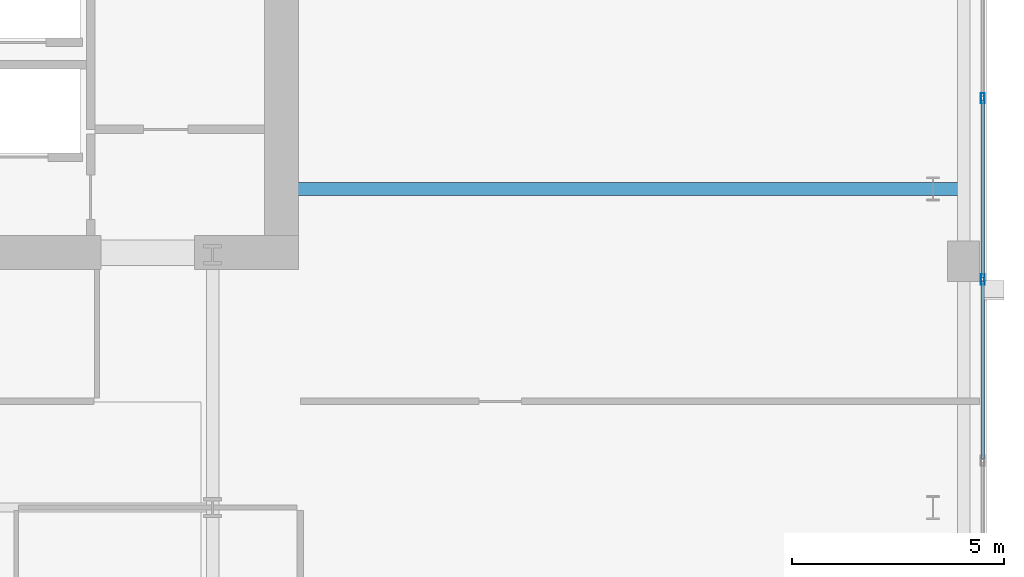
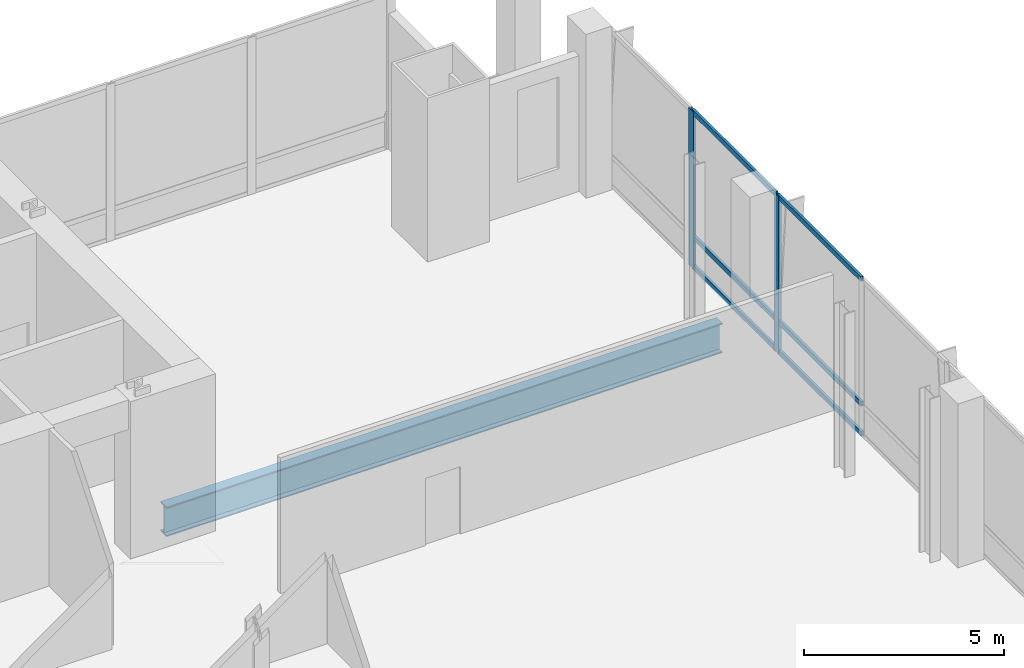
# One storey, part 16 of 25: 8 members, 1 beam, 1 element without a shape of its own.
"""IFC4 building model written with IfcOpenShell, lengths in metres."""

import ifcopenshell
import ifcopenshell.guid

model = None  # the IFC model being written
_history = None  # IfcOwnerHistory: only IFC2X3 demands one
_inside = {}  # id of a spatial element -> (the spatial element, [elements in it])
_under = {}  # id of a project, library or spatial element -> (it, [spatial elements below it])
_declared = {}  # id of a project -> (the project, [libraries it declares])
_typed = {}  # id of a type object -> (the type object, [elements of that type])
_made_of = {}  # id of a material, layer set ... -> (it, [elements and type objects made of it])


def new_model(schema):
    """Start an empty IFC model of exactly this schema.

    Asked for "IFC4X3", IfcOpenShell would pick the latest addendum, in which some entities
    have other attributes; the version numbers below select the first issue.
    IFC2X3 requires an IfcOwnerHistory on every rooted entity: one is made here for all.
    """
    global model, _history
    if schema == "IFC4X3":
        model = ifcopenshell.file(schema_version=(4, 3, 0, 0))
    else:
        model = ifcopenshell.file(schema=schema)
    _inside.clear()
    _under.clear()
    _declared.clear()
    _typed.clear()
    _made_of.clear()
    _history = None
    if model.schema == "IFC2X3":
        org = make("IfcOrganization", Name="unknown")
        user = make(
            "IfcPersonAndOrganization",
            ThePerson=make("IfcPerson", FamilyName="unknown"),
            TheOrganization=org,
        )
        app = make(
            "IfcApplication",
            ApplicationDeveloper=org,
            Version="unknown",
            ApplicationFullName="unknown",
            ApplicationIdentifier="unknown",
        )
        _history = make(
            "IfcOwnerHistory",
            OwningUser=user,
            OwningApplication=app,
            ChangeAction="ADDED",
            CreationDate=0,
        )
    return model


def make(cls, **values):
    """One entity of the class cls with the attributes given. An attribute that is None is left unset."""
    return model.create_entity(
        cls, **{name: value for name, value in values.items() if value is not None}
    )


def rooted(cls, **values):
    """An entity with a GlobalId (a new one), such as an element, a storey or a relation."""
    return make(cls, GlobalId=ifcopenshell.guid.new(), OwnerHistory=_history, **values)


def si_unit(unit_type, name, prefix=None):
    """IfcSIUnit, for example si_unit("LENGTHUNIT", "METRE", prefix="MILLI")."""
    return make("IfcSIUnit", UnitType=unit_type, Prefix=prefix, Name=name)


def assignment(units):
    """IfcUnitAssignment: the units of a project."""
    return None if units is None else make("IfcUnitAssignment", Units=units)


def point(xyz):
    """IfcCartesianPoint."""
    return None if xyz is None else make("IfcCartesianPoint", Coordinates=xyz)


def direction(xyz):
    """IfcDirection."""
    return None if xyz is None else make("IfcDirection", DirectionRatios=xyz)


def frame(location, z_axis=None, x_axis=None):
    """IfcAxis2Placement3D, a coordinate frame: its origin and axes. An axis left out is left unset."""
    return make(
        "IfcAxis2Placement3D",
        Location=point(location),
        Axis=direction(z_axis),
        RefDirection=direction(x_axis),
    )


def frame_2d(location, x_axis=None):
    """IfcAxis2Placement2D, a coordinate frame in the plane: its origin and x axis."""
    return make(
        "IfcAxis2Placement2D", Location=point(location), RefDirection=direction(x_axis)
    )


def origin():
    """The frame at (0, 0, 0) with its axes left unset."""
    return frame((0.0, 0.0, 0.0))


def origin_2d():
    """The frame at (0, 0) in the plane with its x axis left unset."""
    return frame_2d((0.0, 0.0))


def place(relative_to, where):
    """IfcLocalPlacement: puts the frame where relative to a parent placement (None: the world)."""
    return make(
        "IfcLocalPlacement", PlacementRelTo=relative_to, RelativePlacement=where
    )


def context(
    kind, dimensions, precision=None, world=None, true_north=None, identifier=None
):
    """IfcGeometricRepresentationContext, for example the 3D "Model" context."""
    return make(
        "IfcGeometricRepresentationContext",
        ContextIdentifier=identifier,
        ContextType=kind,
        CoordinateSpaceDimension=dimensions,
        Precision=precision,
        WorldCoordinateSystem=world,
        TrueNorth=true_north,
    )


def subcontext(parent, identifier, kind, view, scale=None):
    """IfcGeometricRepresentationSubContext, for example "Body" below "Model"."""
    return make(
        "IfcGeometricRepresentationSubContext",
        ContextIdentifier=identifier,
        ContextType=kind,
        ParentContext=parent,
        TargetScale=scale,
        TargetView=view,
    )


def project(units=None, contexts=None):
    """IfcProject with its units and contexts."""
    return rooted(
        "IfcProject",
        Name="project",
        RepresentationContexts=contexts,
        UnitsInContext=assignment(units),
    )


def spatial(cls, under=None, at=None, **own):
    """A site, building, storey or space (cls), placed at a placement, below another one or the project."""
    s = rooted(cls, ObjectPlacement=at, **own)
    if under is not None:
        _under.setdefault(under.id(), (under, []))[1].append(s)
    return s


def profile(cls, at=None, kind="AREA", **sizes):
    """A parametric profile (cls). Its sizes go by their IFC names, for example OverallWidth=200.0."""
    return make(cls, ProfileType=kind, Position=at, **sizes)


def hollow_rectangle(**sizes):
    """IfcRectangleHollowProfileDef."""
    return profile("IfcRectangleHollowProfileDef", **sizes)


def i_section(**sizes):
    """IfcIShapeProfileDef."""
    return profile("IfcIShapeProfileDef", **sizes)


def extrude(swept, where, along, depth):
    """IfcExtrudedAreaSolid: the profile swept, set in the frame where, extruded along a direction by depth."""
    return make(
        "IfcExtrudedAreaSolid",
        SweptArea=swept,
        Position=where,
        ExtrudedDirection=direction(along),
        Depth=depth,
    )


def shape(context_of_items, identifier, shape_type, items):
    """IfcShapeRepresentation: the items that make up one representation, for example the "Body"."""
    return make(
        "IfcShapeRepresentation",
        ContextOfItems=context_of_items,
        RepresentationIdentifier=identifier,
        RepresentationType=shape_type,
        Items=items,
    )


def material(Name=None, Category=None):
    """IfcMaterial."""
    return make("IfcMaterial", Name=Name, Category=Category)


def material_profile(
    of_material, cross_section, Name=None, Category=None, Priority=None
):
    """IfcMaterialProfile: a cross section and its material."""
    return make(
        "IfcMaterialProfile",
        Name=Name,
        Material=of_material,
        Profile=cross_section,
        Priority=Priority,
        Category=Category,
    )


def profile_set(profiles, Name=None, composite=None):
    """IfcMaterialProfileSet."""
    return make(
        "IfcMaterialProfileSet",
        Name=Name,
        MaterialProfiles=profiles,
        CompositeProfile=composite,
    )


def made_of(thing, what):
    """Note that an element or type object is made of a material, layer set ...; save() writes the relation."""
    if what is not None:
        _made_of.setdefault(what.id(), (what, []))[1].append(thing)
    return thing


def type_object(cls, material=None, **own):
    """A type object (cls), such as IfcWallType, which elements share."""
    return made_of(rooted(cls, **own), material)


def element(
    cls,
    number,
    at=None,
    inside=None,
    cuts=None,
    type_object=None,
    material=None,
    context=None,
    identifier="Body",
    shape_type=None,
    held_by="IfcProductDefinitionShape",
    body=None,
    shapes=None,
    **own,
):
    """One element of the class cls, such as IfcWall. Its Tag is "e" and its number.

    at: its placement. inside: the storey or other place that contains it. cuts: it is an
    opening in that element (IfcRelVoidsElement). A single representation is given by context,
    identifier, shape_type and body (its items); several are given by shapes. held_by: the class
    of the entity that holds the representations. save() writes the other relations.
    """
    e = rooted(cls, Tag="e%d" % number, ObjectPlacement=at, **own)
    if body is not None:
        shapes = [shape(context, identifier, shape_type, body)]
    if shapes is not None:
        e.Representation = make(held_by, Representations=shapes)
    if inside is not None:
        _inside.setdefault(inside.id(), (inside, []))[1].append(e)
    if cuts is not None:
        rooted(
            "IfcRelVoidsElement", RelatingBuildingElement=cuts, RelatedOpeningElement=e
        )
    if type_object is not None:
        _typed.setdefault(type_object.id(), (type_object, []))[1].append(e)
    return made_of(e, material)


def aggregate(whole, parts):
    """IfcRelAggregates: a whole, such as a stair, and the parts it consists of."""
    return rooted("IfcRelAggregates", RelatingObject=whole, RelatedObjects=parts)


def save(model, path):
    """Write the relations noted so far, then the file.

    IfcRelAggregates (storeys below a building ...), IfcRelContainedInSpatialStructure (elements
    in a storey), IfcRelDefinesByType, IfcRelAssociatesMaterial and IfcRelDeclares: one each for
    every whole, place, type object, material and project.
    """
    for whole, parts in _under.values():
        aggregate(whole, parts)
    for where, things in _inside.values():
        rooted(
            "IfcRelContainedInSpatialStructure",
            RelatedElements=things,
            RelatingStructure=where,
        )
    for kind, things in _typed.values():
        rooted("IfcRelDefinesByType", RelatedObjects=things, RelatingType=kind)
    for what, things in _made_of.values():
        rooted("IfcRelAssociatesMaterial", RelatedObjects=things, RelatingMaterial=what)
    for by, libraries in _declared.values():
        rooted("IfcRelDeclares", RelatingContext=by, RelatedDefinitions=libraries)
    model.write(path)


model = new_model("IFC4")

# Units and contexts
model_context = context("Model", 3, precision=1e-05, world=origin(), true_north=direction((0.0, 1.0)))
body_context = subcontext(model_context, "Body", "Model", "MODEL_VIEW")
ifc_project = project(units=[si_unit("LENGTHUNIT", "METRE"), si_unit("AREAUNIT", "SQUARE_METRE"), si_unit("VOLUMEUNIT", "CUBIC_METRE"), si_unit("PLANEANGLEUNIT", "RADIAN"), si_unit("MASSUNIT", "GRAM", prefix="KILO")], contexts=[model_context])

# Site, building, storey
site_placement = place(None, origin())
site = spatial("IfcSite", under=ifc_project, at=site_placement, CompositionType="ELEMENT")
building_placement = place(site_placement, origin())
building = spatial("IfcBuilding", under=site, at=building_placement, Name="Khoronbel Lancet Exchange", CompositionType="ELEMENT")
storey_placement = place(building_placement, frame((0.0, 0.0, 10.39990234375)))
storey = spatial("IfcBuildingStorey", under=building, at=storey_placement, Name="L02", CompositionType="ELEMENT", Elevation=10.39990234375)

# Beam
ifc_material_1 = material(Name="Steel S355", Category="steel")
ifc_material_profile_1 = material_profile(ifc_material_1, i_section(OverallWidth=0.300048828125, OverallDepth=0.89990234375, WebThickness=0.0185546875, FlangeThickness=0.034912109375, at=origin_2d()), Name="HEB 900")
ifc_profile_set_1 = profile_set([ifc_material_profile_1], Name="Steel S355")
beam_type = type_object("IfcBeamType", Name="BM-BG1", PredefinedType="BEAM", material=ifc_profile_set_1)
beam_placement = place(storey_placement, frame((56.300048828125, 43.199951171875, -0.64990234375), z_axis=(1.0, 0.0, 0.0), x_axis=(0.0, 1.0, 0.0)))
element("IfcBeam", 1, at=beam_placement, inside=storey, type_object=beam_type, Name="Level L02 east lens tie girder LG3E", PredefinedType="BEAM", context=body_context, shape_type="SweptSolid", body=[
    extrude(i_section(OverallWidth=0.300048828125, OverallDepth=0.89990234375, WebThickness=0.0185546875, FlangeThickness=0.034912109375, at=origin_2d()), origin(), (0.0, 0.0, 1.0), 16.050048828125),
])

# Curtain wall, members
ifc_material_2 = material(Name="Low-E Solar Control Insulating Glass", Category="glass")
curtain_wall_type = type_object("IfcCurtainWallType", Name="CW-5", PredefinedType="NOTDEFINED", material=ifc_material_2)
curtain_wall_placement = place(storey_placement, origin())
curtain_wall = element("IfcCurtainWall", 2, at=curtain_wall_placement, inside=storey, type_object=curtain_wall_type, Name="Unitised curtain wall CW-L02-EAST", PredefinedType="NOTDEFINED")
ifc_material_3 = material(Name="Bronze-Anodised Aluminium 6063-T6", Category="aluminium")
ifc_material_profile_2 = material_profile(ifc_material_3, hollow_rectangle(XDim=0.0849609375, YDim=0.239990234375, WallThickness=0.006103515625, at=origin_2d()), Name="ALU MULLION 85x240")
ifc_profile_set_2 = profile_set([ifc_material_profile_2], Name="Bronze-Anodised Aluminium 6063-T6")
member_type_1 = type_object("IfcMemberType", Name="MEM-CWM1", PredefinedType="MULLION", material=ifc_profile_set_2)
member_1_placement = place(storey_placement, frame((72.800048828125, 41.066650390625, 0.0), z_axis=(0.0, 0.0, 1.0), x_axis=(-1.0, 0.0, 0.0)))
member_1 = element("IfcMember", 3, at=member_1_placement, type_object=member_type_1, Name="CW5 mullion 8", PredefinedType="MULLION", context=body_context, shape_type="SweptSolid", body=[
    extrude(hollow_rectangle(XDim=0.0849609375, YDim=0.239990234375, WallThickness=0.006103515625, at=origin_2d()), origin(), (0.0, 0.0, 1.0), 4.800048828125),
])
member_2_placement = place(storey_placement, frame((72.800048828125, 45.333251953125, 0.0), z_axis=(0.0, 0.0, 1.0), x_axis=(-1.0, 0.0, 0.0)))
member_2 = element("IfcMember", 4, at=member_2_placement, type_object=member_type_1, Name="CW5 mullion 9", PredefinedType="MULLION", context=body_context, shape_type="SweptSolid", body=[
    extrude(hollow_rectangle(XDim=0.0849609375, YDim=0.239990234375, WallThickness=0.006103515625, at=origin_2d()), origin(), (0.0, 0.0, 1.0), 4.800048828125),
])
ifc_material_profile_3 = material_profile(ifc_material_3, hollow_rectangle(XDim=0.074951171875, YDim=0.14990234375, WallThickness=0.00439453125, at=origin_2d()), Name="ALU TRANSOM 75x150")
ifc_profile_set_3 = profile_set([ifc_material_profile_3], Name="Bronze-Anodised Aluminium 6063-T6")
member_type_2 = type_object("IfcMemberType", Name="MEM-CWT2", PredefinedType="USERDEFINED", material=ifc_profile_set_3)
member_3_placement = place(storey_placement, frame((72.800048828125, 36.842529296875, 0.03759765625), z_axis=(0.0, 1.0, 0.0), x_axis=(-1.0, 0.0, 0.0)))
member_3 = element("IfcMember", 5, at=member_3_placement, type_object=member_type_2, Name="CW5 transom 7.1", ObjectType="TRANSOM", PredefinedType="USERDEFINED", context=body_context, shape_type="SweptSolid", body=[
    extrude(hollow_rectangle(XDim=0.074951171875, YDim=0.14990234375, WallThickness=0.00439453125, at=origin_2d()), origin(), (0.0, 0.0, 1.0), 4.181640625),
])
member_4_placement = place(storey_placement, frame((72.800048828125, 36.842529296875, 0.9501953125), z_axis=(0.0, 1.0, 0.0), x_axis=(-1.0, 0.0, 0.0)))
member_4 = element("IfcMember", 6, at=member_4_placement, type_object=member_type_2, Name="CW5 transom 7.2", ObjectType="TRANSOM", PredefinedType="USERDEFINED", context=body_context, shape_type="SweptSolid", body=[
    extrude(hollow_rectangle(XDim=0.074951171875, YDim=0.14990234375, WallThickness=0.00439453125, at=origin_2d()), origin(), (0.0, 0.0, 1.0), 4.181640625),
])
member_5_placement = place(storey_placement, frame((72.800048828125, 36.842529296875, 4.7626953125), z_axis=(0.0, 1.0, 0.0), x_axis=(-1.0, 0.0, 0.0)))
member_5 = element("IfcMember", 7, at=member_5_placement, type_object=member_type_2, Name="CW5 transom 7.3", ObjectType="TRANSOM", PredefinedType="USERDEFINED", context=body_context, shape_type="SweptSolid", body=[
    extrude(hollow_rectangle(XDim=0.074951171875, YDim=0.14990234375, WallThickness=0.00439453125, at=origin_2d()), origin(), (0.0, 0.0, 1.0), 4.181640625),
])
member_6_placement = place(storey_placement, frame((72.800048828125, 41.109130859375, 0.03759765625), z_axis=(0.0, 1.0, 0.0), x_axis=(-1.0, 0.0, 0.0)))
member_6 = element("IfcMember", 8, at=member_6_placement, type_object=member_type_2, Name="CW5 transom 8.1", ObjectType="TRANSOM", PredefinedType="USERDEFINED", context=body_context, shape_type="SweptSolid", body=[
    extrude(hollow_rectangle(XDim=0.074951171875, YDim=0.14990234375, WallThickness=0.00439453125, at=origin_2d()), origin(), (0.0, 0.0, 1.0), 4.181640625),
])
member_7_placement = place(storey_placement, frame((72.800048828125, 41.109130859375, 0.9501953125), z_axis=(0.0, 1.0, 0.0), x_axis=(-1.0, 0.0, 0.0)))
member_7 = element("IfcMember", 9, at=member_7_placement, type_object=member_type_2, Name="CW5 transom 8.2", ObjectType="TRANSOM", PredefinedType="USERDEFINED", context=body_context, shape_type="SweptSolid", body=[
    extrude(hollow_rectangle(XDim=0.074951171875, YDim=0.14990234375, WallThickness=0.00439453125, at=origin_2d()), origin(), (0.0, 0.0, 1.0), 4.181640625),
])
member_8_placement = place(storey_placement, frame((72.800048828125, 41.109130859375, 4.7626953125), z_axis=(0.0, 1.0, 0.0), x_axis=(-1.0, 0.0, 0.0)))
member_8 = element("IfcMember", 10, at=member_8_placement, type_object=member_type_2, Name="CW5 transom 8.3", ObjectType="TRANSOM", PredefinedType="USERDEFINED", context=body_context, shape_type="SweptSolid", body=[
    extrude(hollow_rectangle(XDim=0.074951171875, YDim=0.14990234375, WallThickness=0.00439453125, at=origin_2d()), origin(), (0.0, 0.0, 1.0), 4.181640625),
])
aggregate(curtain_wall, [member_1, member_2, member_3, member_4, member_5, member_6, member_7, member_8])

save(model, "model.ifc")
